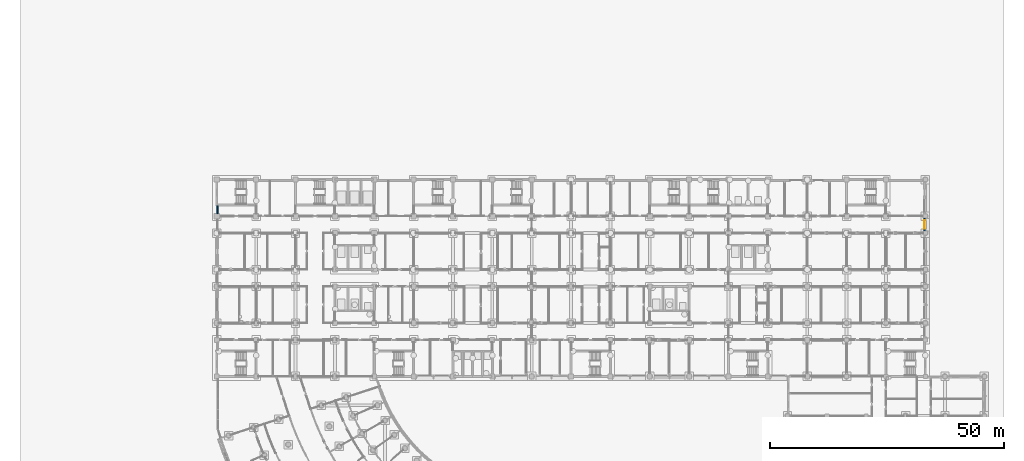
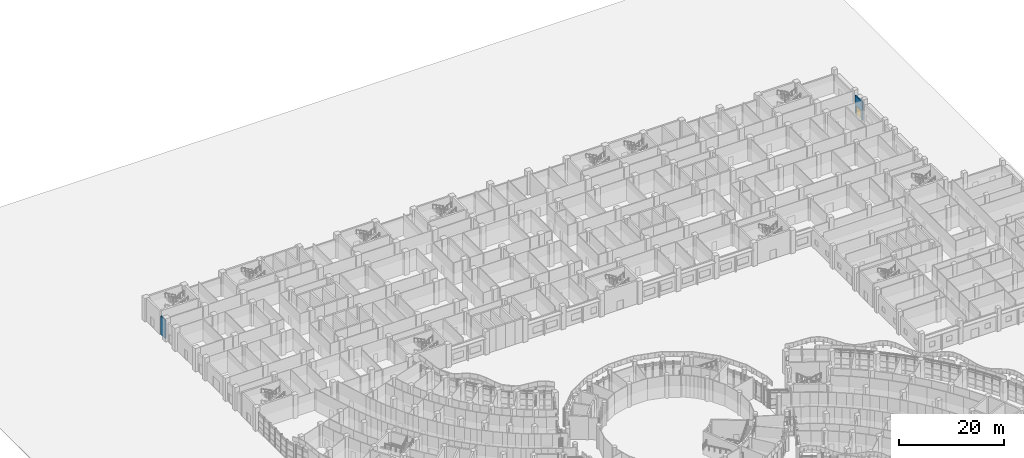
# One storey, part 90 of 146: 2 walls, 1 door, 1 opening.
"""IFC4 building model written with IfcOpenShell, lengths in metres."""

from ifc_helpers import new_model, si_unit, direction, frame, frame_2d, origin, place, context, subcontext, project, spatial, rectangle, extrude, material, layer, layer_set, type_object, element, fill, save


model = new_model("IFC4")

# Units and contexts
model_context = context("Model", 3, precision=1e-05, world=origin(), true_north=direction((0.0, 1.0)))
body_context = subcontext(model_context, "Body", "Model", "MODEL_VIEW")
ifc_project = project(units=[si_unit("LENGTHUNIT", "METRE"), si_unit("AREAUNIT", "SQUARE_METRE"), si_unit("VOLUMEUNIT", "CUBIC_METRE"), si_unit("PLANEANGLEUNIT", "RADIAN"), si_unit("MASSUNIT", "GRAM", prefix="KILO")], contexts=[model_context])

# Site, building, storey
site_placement = place(None, origin())
site = spatial("IfcSite", under=ifc_project, at=site_placement, CompositionType="ELEMENT")
building_placement = place(site_placement, origin())
building = spatial("IfcBuilding", under=site, at=building_placement, Name="Bougainvillea Quay General Hospital", CompositionType="ELEMENT")
storey_placement = place(building_placement, origin())
storey = spatial("IfcBuildingStorey", under=building, at=storey_placement, Name="L00", CompositionType="ELEMENT", Elevation=0.0)

# Wall, opening, door
ifc_material_1 = material(Name="Pale stone rainscreen cladding on insulated masonry backing, pale stone", Category="masonry")
ifc_layer_1 = layer(ifc_material_1, 0.300048828125)
ifc_layer_set_1 = layer_set([ifc_layer_1], Name="Pale stone rainscreen cladding on insulated masonry backing, pale stone")
wall_type_1 = type_object("IfcWallType", Name="External wall pale stone rainscreen 300", PredefinedType="STANDARD", material=ifc_layer_set_1)
wall_1_placement = place(storey_placement, frame((193.050048828125, 148.64990234375, 0.0), z_axis=(0.0, 0.0, 1.0), x_axis=(0.0, 1.0, 0.0)))
wall_1 = element("IfcWall", 1, at=wall_1_placement, inside=storey, type_object=wall_type_1, Name="External wall wall/V4/L00/p0/00f", PredefinedType="STANDARD", context=body_context, shape_type="SweptSolid", body=[
    extrude(rectangle(XDim=2.7001953125, YDim=0.300048828125, at=frame_2d((1.35009765625, 0.0))), origin(), (0.0, 0.0, 1.0), 4.25),
])
opening_placement = place(wall_1_placement, frame((0.449951171875, 0.0, 0.0)))
opening = element("IfcOpeningElement", 2, at=opening_placement, cuts=wall_1, Name="Opening L00.326", PredefinedType="OPENING", context=body_context, shape_type="SweptSolid", body=[
    extrude(rectangle(XDim=1.800048828125, YDim=2.10009765625, at=frame_2d((0.89990234375, 1.050048828125))), frame((0.0, 0.159912109375, 0.0), z_axis=(0.0, -1.0, 0.0), x_axis=(1.0, 0.0, 0.0)), (0.0, 0.0, 1.0), 0.320068359375),
])
ifc_material_2 = material(Name="Steel door set, painted, with vision panels", Category="steel")
door_type = type_object("IfcDoorType", Name="Escape door 1800x2100", OperationType="DOUBLE_DOOR_SINGLE_SWING", PredefinedType="DOOR", material=ifc_material_2)
door_placement = place(opening_placement, frame((1.800048828125, 0.0, 0.0), z_axis=(0.0, 0.0, 1.0), x_axis=(-1.0, 0.0, 0.0)))
door = element("IfcDoor", 3, at=door_placement, inside=storey, type_object=door_type, Name="Escape door 2", OperationType="SINGLE_SWING_LEFT", OverallHeight=2.10009765625, OverallWidth=1.800048828125, PredefinedType="DOOR", context=body_context, shape_type="SweptSolid", body=[
    extrude(rectangle(XDim=1.800048828125, YDim=2.10009765625, at=frame_2d((0.89990234375, 1.050048828125))), frame((0.0, 0.02490234375, 0.0), z_axis=(0.0, -1.0, 0.0), x_axis=(1.0, 0.0, 0.0)), (0.0, 0.0, 1.0), 0.050048828125),
])
fill(opening, door)

# Wall
ifc_material_3 = material(Name="Terracotta rainscreen cladding on insulated masonry backing, terracotta", Category="masonry")
ifc_layer_2 = layer(ifc_material_3, 0.300048828125)
ifc_layer_set_2 = layer_set([ifc_layer_2], Name="Terracotta rainscreen cladding on insulated masonry backing, terracotta")
wall_type_2 = type_object("IfcWallType", Name="External wall terracotta rainscreen 300", PredefinedType="STANDARD", material=ifc_layer_set_2)
wall_2_placement = place(storey_placement, frame((42.14990234375, 154.02490234375, 0.0), z_axis=(0.0, 0.0, 1.0), x_axis=(0.0, -1.0, 0.0)))
element("IfcWall", 4, at=wall_2_placement, inside=storey, type_object=wall_type_2, Name="External wall wall/V4/L00/p0/02a", PredefinedType="STANDARD", context=body_context, shape_type="SweptSolid", body=[
    extrude(rectangle(XDim=1.724853515625, YDim=0.300048828125, at=frame_2d((0.8623046875, 0.0))), origin(), (0.0, 0.0, 1.0), 4.25),
])

save(model, "model.ifc")
